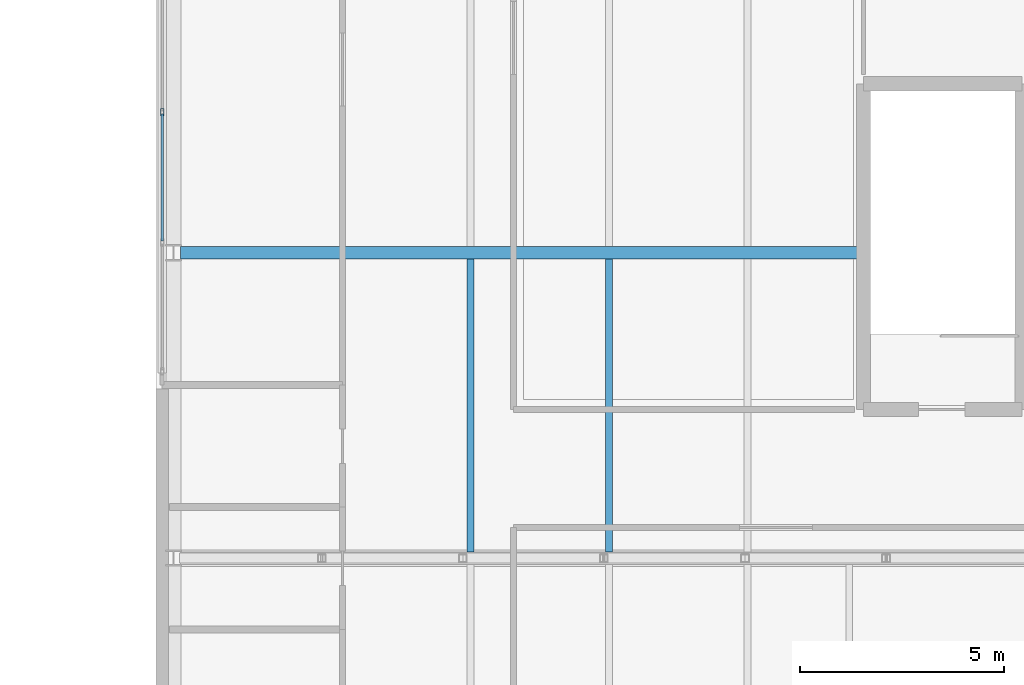
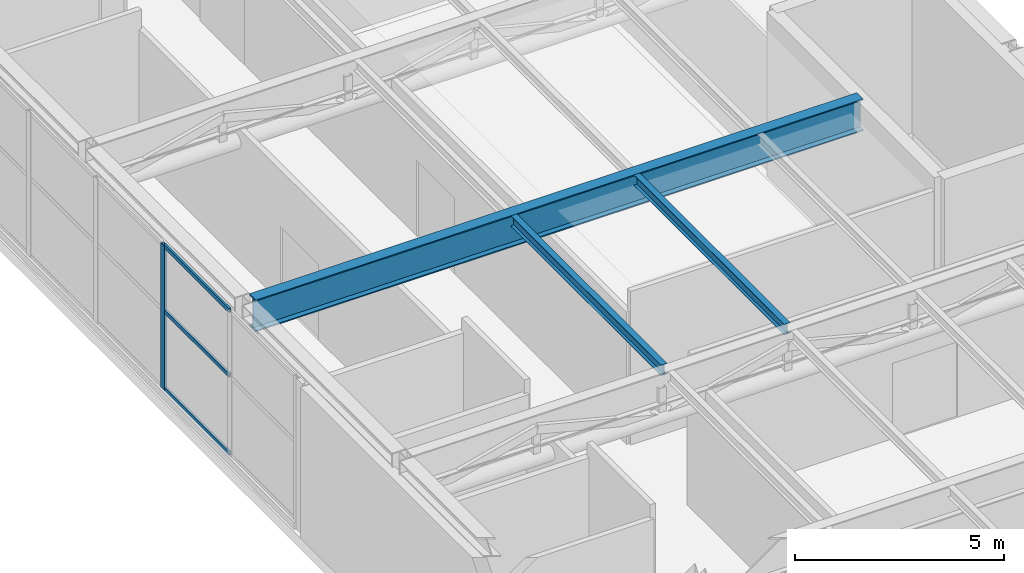
# One storey, part 8 of 27: 4 members, 3 beams, 1 element without a shape of its own.
"""IFC4 building model written with IfcOpenShell, lengths in metres."""

from ifc_helpers import new_model, si_unit, direction, frame, origin, origin_2d, place, context, subcontext, project, spatial, hollow_rectangle, i_section, extrude, material, layer, layer_set, material_profile, profile_set, type_object, element, aggregate, save


model = new_model("IFC4")

# Units and contexts
model_context = context("Model", 3, precision=1e-05, world=origin(), true_north=direction((0.0, 1.0)))
body_context = subcontext(model_context, "Body", "Model", "MODEL_VIEW")
ifc_project = project(units=[si_unit("LENGTHUNIT", "METRE"), si_unit("AREAUNIT", "SQUARE_METRE"), si_unit("VOLUMEUNIT", "CUBIC_METRE"), si_unit("PLANEANGLEUNIT", "RADIAN"), si_unit("MASSUNIT", "GRAM", prefix="KILO")], contexts=[model_context])

# Site, building, storey
site_placement = place(None, origin())
site = spatial("IfcSite", under=ifc_project, at=site_placement, CompositionType="ELEMENT")
building_placement = place(site_placement, origin())
building = spatial("IfcBuilding", under=site, at=building_placement, Name="Mersakhor Tower and Convention Hall", CompositionType="ELEMENT")
storey_placement = place(building_placement, frame((0.0, 0.0, 14.39990234375)))
storey = spatial("IfcBuildingStorey", under=building, at=storey_placement, Name="L03", CompositionType="ELEMENT", Elevation=14.39990234375)

# Beams
ifc_material_1 = material(Name="Steel S355", Category="steel")
ifc_material_profile_1 = material_profile(ifc_material_1, i_section(OverallWidth=0.165771484375, OverallDepth=0.306640625, WebThickness=0.006591796875, FlangeThickness=0.01171875, at=origin_2d()), Name="UB 305x165x46")
ifc_profile_set_1 = profile_set([ifc_material_profile_1], Name="Steel S355")
beam_type_1 = type_object("IfcBeamType", Name="BM-JST-305", PredefinedType="JOIST", material=ifc_profile_set_1)
for number, where, z_axis, x_axis, name in (
    (1, (62.800048828125, 18.40380859375, 4.646728515625), (0.0, 1.0, 0.0), (-1.0, 0.0, 0.0), "Convention L03 Composite Floor Joist CJ-3-62"),
    (2, (66.199951171875, 18.40380859375, 4.646728515625), (0.0, 1.0, 0.0), (-1.0, 0.0, 0.0), "Convention L03 Composite Floor Joist CJ-3-66"),
):
    element("IfcBeam", number, at=place(storey_placement, frame(where, z_axis=z_axis, x_axis=x_axis)), inside=storey, type_object=beam_type_1, Name=name, PredefinedType="JOIST", context=body_context, shape_type="SweptSolid", body=[
        extrude(i_section(OverallWidth=0.165771484375, OverallDepth=0.306640625, WebThickness=0.006591796875, FlangeThickness=0.01171875, at=origin_2d()), origin(), (0.0, 0.0, 1.0), 7.1923828125),
    ])
ifc_material_2 = material(Name="Steel S355", Category="steel")
ifc_material_profile_2 = material_profile(ifc_material_2, i_section(OverallWidth=0.3076171875, OverallDepth=0.926513671875, WebThickness=0.01953125, FlangeThickness=0.031982421875, at=origin_2d()), Name="UB 914x305x289")
ifc_profile_set_2 = profile_set([ifc_material_profile_2], Name="Steel S355")
beam_type_2 = type_object("IfcBeamType", Name="BM-PR-914", PredefinedType="BEAM", material=ifc_profile_set_2)
beam_placement = place(storey_placement, frame((55.679931640625, 25.75, 4.3369140625), z_axis=(1.0, 0.0, 0.0), x_axis=(0.0, 1.0, 0.0)))
element("IfcBeam", 3, at=beam_placement, inside=storey, type_object=beam_type_2, Name="Convention L03 Clear-Span Girder CG-4", PredefinedType="BEAM", context=body_context, shape_type="SweptSolid", body=[
    extrude(i_section(OverallWidth=0.3076171875, OverallDepth=0.926513671875, WebThickness=0.01953125, FlangeThickness=0.031982421875, at=origin_2d()), origin(), (0.0, 0.0, 1.0), 16.77001953125),
])

# Curtain wall, members
ifc_material_3 = material(Name="Dark solar low-E aluminium curtain wall", Category="aluminium")
ifc_layer = layer(ifc_material_3, 0.219970703125)
ifc_layer_set = layer_set([ifc_layer], Name="Dark solar low-E aluminium curtain wall")
curtain_wall_type = type_object("IfcCurtainWallType", Name="CW-SYS-07", PredefinedType="USERDEFINED", material=ifc_layer_set)
curtain_wall_placement = place(storey_placement, origin())
curtain_wall = element("IfcCurtainWall", 4, at=curtain_wall_placement, inside=storey, type_object=curtain_wall_type, Name="Convention L03 West Curtain Wall", ObjectType="CURTAIN WALL", PredefinedType="USERDEFINED")
ifc_material_4 = material(Name="Anodised aluminium EN AW-6063 T6", Category="aluminium")
ifc_material_profile_3 = material_profile(ifc_material_4, hollow_rectangle(XDim=0.080078125, YDim=0.179931640625, WallThickness=0.008056640625, at=origin_2d()), Name="RHS 180x80x8")
ifc_profile_set_3 = profile_set([ifc_material_profile_3], Name="Anodised aluminium EN AW-6063 T6")
member_type_1 = type_object("IfcMemberType", Name="CWM-180x80", PredefinedType="MULLION", material=ifc_profile_set_3)
member_1_placement = place(storey_placement, frame((55.22509765625, 29.199951171875, 0.2001953125), z_axis=(0.0, 0.0, 1.0), x_axis=(-1.0, 0.0, 0.0)))
member_1 = element("IfcMember", 5, at=member_1_placement, type_object=member_type_1, Name="CW-07 mullion 3", PredefinedType="MULLION", context=body_context, shape_type="SweptSolid", body=[
    extrude(hollow_rectangle(XDim=0.080078125, YDim=0.179931640625, WallThickness=0.008056640625, at=origin_2d()), origin(), (0.0, 0.0, 1.0), 4.219970703125),
])
ifc_material_5 = material(Name="Anodised aluminium EN AW-6063 T6", Category="aluminium")
ifc_material_profile_4 = material_profile(ifc_material_5, hollow_rectangle(XDim=0.06005859375, YDim=0.1201171875, WallThickness=0.0048828125, at=origin_2d()), Name="RHS 120x60x5")
ifc_profile_set_4 = profile_set([ifc_material_profile_4], Name="Anodised aluminium EN AW-6063 T6")
member_type_2 = type_object("IfcMemberType", Name="CWT-120x60", PredefinedType="USERDEFINED", material=ifc_profile_set_4)
member_2_placement = place(storey_placement, frame((55.22509765625, 26.0400390625, 0.22998046875), z_axis=(0.0, 1.0, 0.0), x_axis=(-1.0, 0.0, 0.0)))
member_2 = element("IfcMember", 6, at=member_2_placement, type_object=member_type_2, Name="CW-07 transom 2.1", ObjectType="TRANSOM", PredefinedType="USERDEFINED", context=body_context, shape_type="SweptSolid", body=[
    extrude(hollow_rectangle(XDim=0.06005859375, YDim=0.1201171875, WallThickness=0.0048828125, at=origin_2d()), origin(), (0.0, 0.0, 1.0), 3.119873046875),
])
member_3_placement = place(storey_placement, frame((55.22509765625, 26.0400390625, 2.5), z_axis=(0.0, 1.0, 0.0), x_axis=(-1.0, 0.0, 0.0)))
member_3 = element("IfcMember", 7, at=member_3_placement, type_object=member_type_2, Name="CW-07 transom 2.2", ObjectType="TRANSOM", PredefinedType="USERDEFINED", context=body_context, shape_type="SweptSolid", body=[
    extrude(hollow_rectangle(XDim=0.06005859375, YDim=0.1201171875, WallThickness=0.0048828125, at=origin_2d()), origin(), (0.0, 0.0, 1.0), 3.119873046875),
])
member_4_placement = place(storey_placement, frame((55.22509765625, 26.0400390625, 4.39013671875), z_axis=(0.0, 1.0, 0.0), x_axis=(-1.0, 0.0, 0.0)))
member_4 = element("IfcMember", 8, at=member_4_placement, type_object=member_type_2, Name="CW-07 transom 2.3", ObjectType="TRANSOM", PredefinedType="USERDEFINED", context=body_context, shape_type="SweptSolid", body=[
    extrude(hollow_rectangle(XDim=0.06005859375, YDim=0.1201171875, WallThickness=0.0048828125, at=origin_2d()), origin(), (0.0, 0.0, 1.0), 3.119873046875),
])
aggregate(curtain_wall, [member_1, member_2, member_3, member_4])

save(model, "model.ifc")
